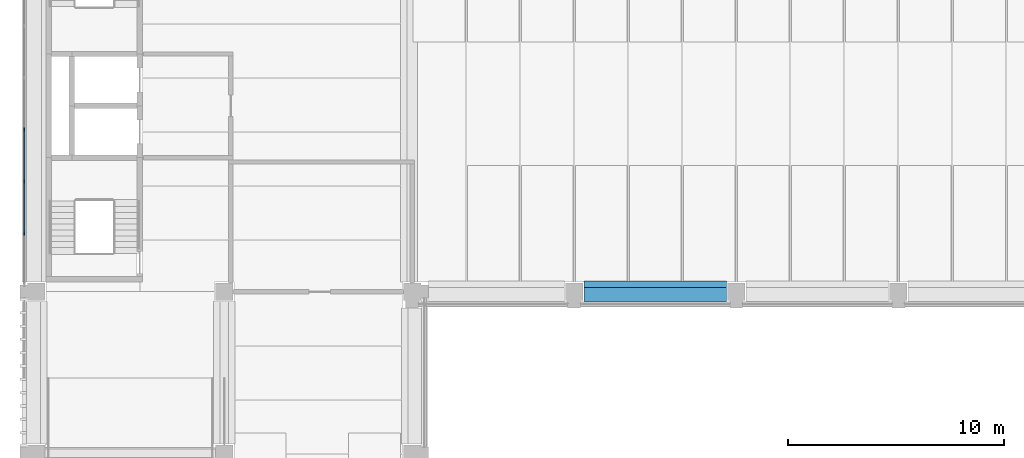
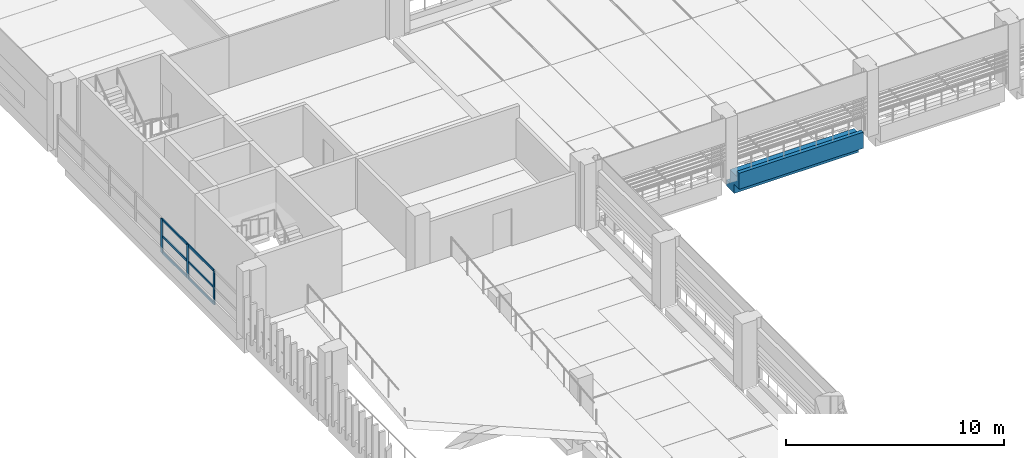
# One storey, part 4 of 61: 9 members, 1 beam, 1 element without a shape of its own.
"""IFC4 building model written with IfcOpenShell, lengths in metres."""

from ifc_helpers import new_model, si_unit, direction, frame, origin, origin_2d, place, context, subcontext, project, spatial, polyline, rectangle, outline, extrude, material, layer, layer_set, material_profile, profile_set, type_object, element, aggregate, save


model = new_model("IFC4")

# Units and contexts
model_context = context("Model", 3, precision=1e-05, world=origin(), true_north=direction((0.0, 1.0)))
body_context = subcontext(model_context, "Body", "Model", "MODEL_VIEW")
ifc_project = project(units=[si_unit("LENGTHUNIT", "METRE"), si_unit("AREAUNIT", "SQUARE_METRE"), si_unit("VOLUMEUNIT", "CUBIC_METRE"), si_unit("PLANEANGLEUNIT", "RADIAN"), si_unit("MASSUNIT", "GRAM", prefix="KILO")], contexts=[model_context])

# Site, building, storey
site_placement = place(None, origin())
site = spatial("IfcSite", under=ifc_project, at=site_placement, CompositionType="ELEMENT")
building_placement = place(site_placement, origin())
building = spatial("IfcBuilding", under=site, at=building_placement, Name="Cour d'Honneur Mobility Palace", CompositionType="ELEMENT")
storey_placement = place(building_placement, frame((0.0, 0.0, 11.89990234375)))
storey = spatial("IfcBuildingStorey", under=building, at=storey_placement, Name="L03", CompositionType="ELEMENT", Elevation=11.89990234375)

# Curtain wall, members
ifc_material_1 = material(Name="Aluminium and glass", Category="aluminium")
ifc_layer = layer(ifc_material_1, 0.10009765625)
ifc_layer_set = layer_set([ifc_layer], Name="Aluminium and glass")
curtain_wall_type = type_object("IfcCurtainWallType", Name="Curtain wall run", PredefinedType="NOTDEFINED", material=ifc_layer_set)
curtain_wall_placement = place(storey_placement, origin())
curtain_wall = element("IfcCurtainWall", 1, at=curtain_wall_placement, inside=storey, type_object=curtain_wall_type, Name="Curtain wall CW-102", PredefinedType="NOTDEFINED")
ifc_material_2 = material(Name="Aluminium", Category="aluminium")
ifc_material_profile_1 = material_profile(ifc_material_2, rectangle(XDim=0.06005859375, YDim=0.159912109375, at=origin_2d()), Name="Curtain wall mullion")
ifc_profile_set_1 = profile_set([ifc_material_profile_1], Name="Aluminium")
member_type_1 = type_object("IfcMemberType", Name="Curtain wall mullion", PredefinedType="MULLION", material=ifc_profile_set_1)
member_1_placement = place(storey_placement, frame((-0.550048828125, 52.5, 0.0), z_axis=(0.0, 0.0, 1.0), x_axis=(1.0, 0.0, 0.0)))
member_1 = element("IfcMember", 2, at=member_1_placement, type_object=member_type_1, Name="CW-102 mullion 5", PredefinedType="MULLION", context=body_context, shape_type="SweptSolid", body=[
    extrude(rectangle(XDim=0.06005859375, YDim=0.159912109375, at=origin_2d()), origin(), (0.0, 0.0, 1.0), 1.900146484375),
])
member_2_placement = place(storey_placement, frame((-0.550048828125, 50.10009765625, 0.0), z_axis=(0.0, 0.0, 1.0), x_axis=(1.0, 0.0, 0.0)))
member_2 = element("IfcMember", 3, at=member_2_placement, type_object=member_type_1, Name="CW-102 mullion 6", PredefinedType="MULLION", context=body_context, shape_type="SweptSolid", body=[
    extrude(rectangle(XDim=0.06005859375, YDim=0.159912109375, at=origin_2d()), origin(), (0.0, 0.0, 1.0), 1.900146484375),
])
member_3_placement = place(storey_placement, frame((-0.550048828125, 47.699951171875, 0.0), z_axis=(0.0, 0.0, 1.0), x_axis=(1.0, 0.0, 0.0)))
member_3 = element("IfcMember", 4, at=member_3_placement, type_object=member_type_1, Name="CW-102 mullion 7", PredefinedType="MULLION", context=body_context, shape_type="SweptSolid", body=[
    extrude(rectangle(XDim=0.06005859375, YDim=0.159912109375, at=origin_2d()), origin(), (0.0, 0.0, 1.0), 1.900146484375),
])
ifc_material_3 = material(Name="Aluminium", Category="aluminium")
ifc_material_profile_2 = material_profile(ifc_material_3, rectangle(XDim=0.06005859375, YDim=0.1201171875, at=origin_2d()), Name="Curtain wall transom")
ifc_profile_set_2 = profile_set([ifc_material_profile_2], Name="Aluminium")
member_type_2 = type_object("IfcMemberType", Name="Curtain wall transom", PredefinedType="USERDEFINED", material=ifc_profile_set_2)
member_4_placement = place(storey_placement, frame((-0.550048828125, 52.469970703125, 0.030029296875), z_axis=(0.0, -1.0, 0.0), x_axis=(1.0, 0.0, 0.0)))
member_4 = element("IfcMember", 5, at=member_4_placement, type_object=member_type_2, Name="CW-102 transom 5.1", ObjectType="TRANSOM", PredefinedType="USERDEFINED", context=body_context, shape_type="SweptSolid", body=[
    extrude(rectangle(XDim=0.06005859375, YDim=0.1201171875, at=origin_2d()), origin(), (0.0, 0.0, 1.0), 2.340087890625),
])
member_5_placement = place(storey_placement, frame((-0.550048828125, 52.469970703125, 0.9501953125), z_axis=(0.0, -1.0, 0.0), x_axis=(1.0, 0.0, 0.0)))
member_5 = element("IfcMember", 6, at=member_5_placement, type_object=member_type_2, Name="CW-102 transom 5.2", ObjectType="TRANSOM", PredefinedType="USERDEFINED", context=body_context, shape_type="SweptSolid", body=[
    extrude(rectangle(XDim=0.06005859375, YDim=0.1201171875, at=origin_2d()), origin(), (0.0, 0.0, 1.0), 2.340087890625),
])
member_6_placement = place(storey_placement, frame((-0.550048828125, 52.469970703125, 1.8701171875), z_axis=(0.0, -1.0, 0.0), x_axis=(1.0, 0.0, 0.0)))
member_6 = element("IfcMember", 7, at=member_6_placement, type_object=member_type_2, Name="CW-102 transom 5.3", ObjectType="TRANSOM", PredefinedType="USERDEFINED", context=body_context, shape_type="SweptSolid", body=[
    extrude(rectangle(XDim=0.06005859375, YDim=0.1201171875, at=origin_2d()), origin(), (0.0, 0.0, 1.0), 2.340087890625),
])
member_7_placement = place(storey_placement, frame((-0.550048828125, 50.070068359375, 0.030029296875), z_axis=(0.0, -1.0, 0.0), x_axis=(1.0, 0.0, 0.0)))
member_7 = element("IfcMember", 8, at=member_7_placement, type_object=member_type_2, Name="CW-102 transom 6.1", ObjectType="TRANSOM", PredefinedType="USERDEFINED", context=body_context, shape_type="SweptSolid", body=[
    extrude(rectangle(XDim=0.06005859375, YDim=0.1201171875, at=origin_2d()), origin(), (0.0, 0.0, 1.0), 2.340087890625),
])
member_8_placement = place(storey_placement, frame((-0.550048828125, 50.070068359375, 0.9501953125), z_axis=(0.0, -1.0, 0.0), x_axis=(1.0, 0.0, 0.0)))
member_8 = element("IfcMember", 9, at=member_8_placement, type_object=member_type_2, Name="CW-102 transom 6.2", ObjectType="TRANSOM", PredefinedType="USERDEFINED", context=body_context, shape_type="SweptSolid", body=[
    extrude(rectangle(XDim=0.06005859375, YDim=0.1201171875, at=origin_2d()), origin(), (0.0, 0.0, 1.0), 2.340087890625),
])
member_9_placement = place(storey_placement, frame((-0.550048828125, 50.070068359375, 1.8701171875), z_axis=(0.0, -1.0, 0.0), x_axis=(1.0, 0.0, 0.0)))
member_9 = element("IfcMember", 10, at=member_9_placement, type_object=member_type_2, Name="CW-102 transom 6.3", ObjectType="TRANSOM", PredefinedType="USERDEFINED", context=body_context, shape_type="SweptSolid", body=[
    extrude(rectangle(XDim=0.06005859375, YDim=0.1201171875, at=origin_2d()), origin(), (0.0, 0.0, 1.0), 2.340087890625),
])
aggregate(curtain_wall, [member_1, member_2, member_3, member_4, member_5, member_6, member_7, member_8, member_9])

# Beam
ifc_material_4 = material(Name="Concrete C45", Category="concrete")
ifc_material_profile_3 = material_profile(ifc_material_4, outline(polyline([(0.5, -1.10009765625), (0.5, -0.75), (0.199951171875, -0.75), (0.199951171875, 0.0), (-0.199951171875, 0.0), (-0.449951171875, 0.0), (-0.449951171875, 0.300048828125), (-0.64990234375, 0.300048828125), (-0.64990234375, -0.60009765625), (-0.199951171875, -0.60009765625), (-0.199951171875, -1.10009765625), (0.5, -1.10009765625)])), Name="Ledger Beam 400x1100 ledge left 350 facade right")
ifc_profile_set_3 = profile_set([ifc_material_profile_3], Name="Concrete C45")
beam_type = type_object("IfcBeamType", Name="Ledger Beam 400x1100 ledge left 350 facade right", PredefinedType="BEAM", material=ifc_profile_set_3)
beam_placement = place(storey_placement, frame((25.35009765625, 45.0, 0.0), z_axis=(1.0, 0.0, 0.0), x_axis=(0.0, 1.0, 0.0)))
element("IfcBeam", 11, at=beam_placement, inside=storey, type_object=beam_type, Name="Precast beam B2 3-4 L03", PredefinedType="BEAM", context=body_context, shape_type="SweptSolid", body=[
    extrude(outline(polyline([(0.5, -1.10009765625), (0.5, -0.75), (0.199951171875, -0.75), (0.199951171875, 0.0), (-0.199951171875, 0.0), (-0.449951171875, 0.0), (-0.449951171875, 0.300048828125), (-0.64990234375, 0.300048828125), (-0.64990234375, -0.60009765625), (-0.199951171875, -0.60009765625), (-0.199951171875, -1.10009765625), (0.5, -1.10009765625)])), origin(), (0.0, 0.0, 1.0), 6.599853515625),
])

save(model, "model.ifc")
